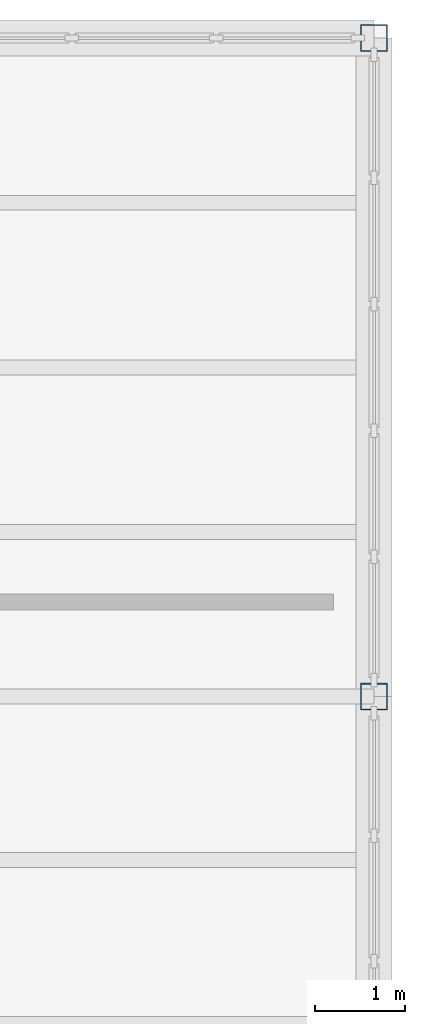
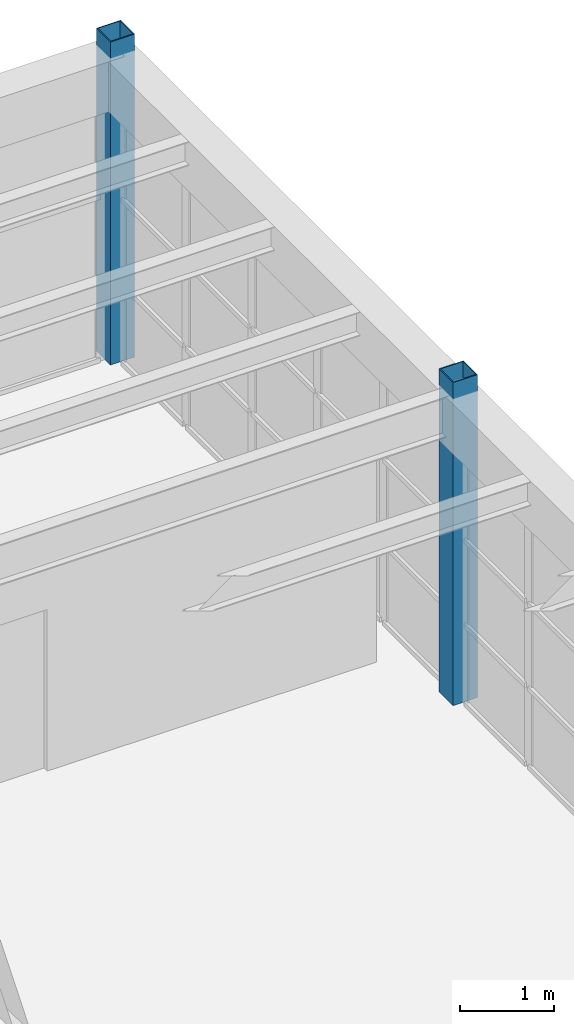
# One storey, part 5 of 52: 2 columns.
"""IFC4 building model written with IfcOpenShell, lengths in metres."""

from ifc_helpers import new_model, si_unit, direction, frame, origin, origin_2d, place, context, subcontext, project, spatial, hollow_rectangle, extrude, material, material_profile, profile_set, type_object, element, save


model = new_model("IFC4")

# Units and contexts
model_context = context("Model", 3, precision=1e-05, world=origin(), true_north=direction((0.0, 1.0)))
body_context = subcontext(model_context, "Body", "Model", "MODEL_VIEW")
ifc_project = project(units=[si_unit("LENGTHUNIT", "METRE"), si_unit("AREAUNIT", "SQUARE_METRE"), si_unit("VOLUMEUNIT", "CUBIC_METRE"), si_unit("PLANEANGLEUNIT", "RADIAN"), si_unit("MASSUNIT", "GRAM", prefix="KILO")], contexts=[model_context])

# Site, building, storey
site_placement = place(None, origin())
site = spatial("IfcSite", under=ifc_project, at=site_placement, CompositionType="ELEMENT")
building_placement = place(site_placement, origin())
building = spatial("IfcBuilding", under=site, at=building_placement, Name="Candilejo Ridge Gondola Terminal", CompositionType="ELEMENT")
storey_placement = place(building_placement, frame((0.0, 0.0, 18.60009765625)))
storey = spatial("IfcBuildingStorey", under=building, at=storey_placement, Name="L04", CompositionType="ELEMENT", Elevation=18.60009765625)

# Columns
ifc_material = material(Name="Steel ASTM A500 Grade C", Category="steel")
ifc_material_profile = material_profile(ifc_material, hollow_rectangle(XDim=0.300048828125, YDim=0.300048828125, WallThickness=0.0126953125, at=origin_2d()))
ifc_profile_set = profile_set([ifc_material_profile], Name="Steel ASTM A500 Grade C")
column_type = type_object("IfcColumnType", Name="STR-COL-HSS300", PredefinedType="COLUMN", material=ifc_profile_set)
for number, where, z_axis, x_axis, name in (
    (1, (175.300048828125, 113.550048828125, 0.0), (0.0, 0.0, 1.0), (1.0, 0.0, 0.0), "Column V5 L04 X27-Y19"),
    (2, (175.300048828125, 120.85009765625, 0.0), (0.0, 0.0, 1.0), (1.0, 0.0, 0.0), "Column V5 L04 X27-Y20"),
):
    element("IfcColumn", number, at=place(storey_placement, frame(where, z_axis=z_axis, x_axis=x_axis)), inside=storey, type_object=column_type, Name=name, PredefinedType="COLUMN", context=body_context, shape_type="SweptSolid", body=[
        extrude(hollow_rectangle(XDim=0.300048828125, YDim=0.300048828125, WallThickness=0.0126953125, at=origin_2d()), origin(), (0.0, 0.0, 1.0), 4.199951171875),
    ])

save(model, "model.ifc")
